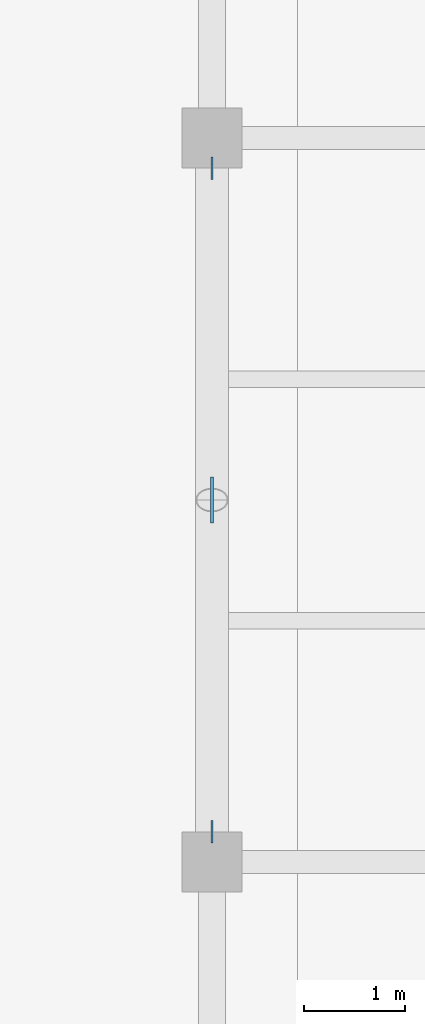
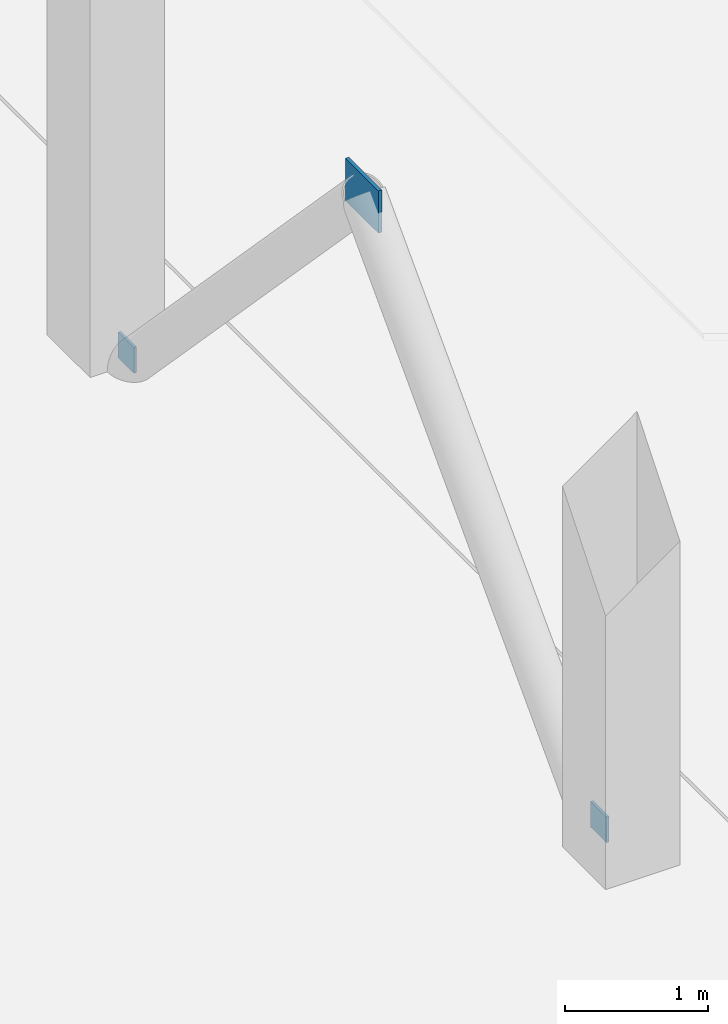
# One storey, part 64 of 94: 3 plates.
"""IFC4 building model written with IfcOpenShell, lengths in metres."""

import ifcopenshell
import ifcopenshell.guid

model = None  # the IFC model being written
_history = None  # IfcOwnerHistory: only IFC2X3 demands one
_inside = {}  # id of a spatial element -> (the spatial element, [elements in it])
_under = {}  # id of a project, library or spatial element -> (it, [spatial elements below it])
_declared = {}  # id of a project -> (the project, [libraries it declares])
_typed = {}  # id of a type object -> (the type object, [elements of that type])
_made_of = {}  # id of a material, layer set ... -> (it, [elements and type objects made of it])


def new_model(schema):
    """Start an empty IFC model of exactly this schema.

    Asked for "IFC4X3", IfcOpenShell would pick the latest addendum, in which some entities
    have other attributes; the version numbers below select the first issue.
    IFC2X3 requires an IfcOwnerHistory on every rooted entity: one is made here for all.
    """
    global model, _history
    if schema == "IFC4X3":
        model = ifcopenshell.file(schema_version=(4, 3, 0, 0))
    else:
        model = ifcopenshell.file(schema=schema)
    _inside.clear()
    _under.clear()
    _declared.clear()
    _typed.clear()
    _made_of.clear()
    _history = None
    if model.schema == "IFC2X3":
        org = make("IfcOrganization", Name="unknown")
        user = make(
            "IfcPersonAndOrganization",
            ThePerson=make("IfcPerson", FamilyName="unknown"),
            TheOrganization=org,
        )
        app = make(
            "IfcApplication",
            ApplicationDeveloper=org,
            Version="unknown",
            ApplicationFullName="unknown",
            ApplicationIdentifier="unknown",
        )
        _history = make(
            "IfcOwnerHistory",
            OwningUser=user,
            OwningApplication=app,
            ChangeAction="ADDED",
            CreationDate=0,
        )
    return model


def make(cls, **values):
    """One entity of the class cls with the attributes given. An attribute that is None is left unset."""
    return model.create_entity(
        cls, **{name: value for name, value in values.items() if value is not None}
    )


def rooted(cls, **values):
    """An entity with a GlobalId (a new one), such as an element, a storey or a relation."""
    return make(cls, GlobalId=ifcopenshell.guid.new(), OwnerHistory=_history, **values)


def si_unit(unit_type, name, prefix=None):
    """IfcSIUnit, for example si_unit("LENGTHUNIT", "METRE", prefix="MILLI")."""
    return make("IfcSIUnit", UnitType=unit_type, Prefix=prefix, Name=name)


def assignment(units):
    """IfcUnitAssignment: the units of a project."""
    return None if units is None else make("IfcUnitAssignment", Units=units)


def point(xyz):
    """IfcCartesianPoint."""
    return None if xyz is None else make("IfcCartesianPoint", Coordinates=xyz)


def direction(xyz):
    """IfcDirection."""
    return None if xyz is None else make("IfcDirection", DirectionRatios=xyz)


def frame(location, z_axis=None, x_axis=None):
    """IfcAxis2Placement3D, a coordinate frame: its origin and axes. An axis left out is left unset."""
    return make(
        "IfcAxis2Placement3D",
        Location=point(location),
        Axis=direction(z_axis),
        RefDirection=direction(x_axis),
    )


def frame_2d(location, x_axis=None):
    """IfcAxis2Placement2D, a coordinate frame in the plane: its origin and x axis."""
    return make(
        "IfcAxis2Placement2D", Location=point(location), RefDirection=direction(x_axis)
    )


def origin():
    """The frame at (0, 0, 0) with its axes left unset."""
    return frame((0.0, 0.0, 0.0))


def origin_2d():
    """The frame at (0, 0) in the plane with its x axis left unset."""
    return frame_2d((0.0, 0.0))


def place(relative_to, where):
    """IfcLocalPlacement: puts the frame where relative to a parent placement (None: the world)."""
    return make(
        "IfcLocalPlacement", PlacementRelTo=relative_to, RelativePlacement=where
    )


def context(
    kind, dimensions, precision=None, world=None, true_north=None, identifier=None
):
    """IfcGeometricRepresentationContext, for example the 3D "Model" context."""
    return make(
        "IfcGeometricRepresentationContext",
        ContextIdentifier=identifier,
        ContextType=kind,
        CoordinateSpaceDimension=dimensions,
        Precision=precision,
        WorldCoordinateSystem=world,
        TrueNorth=true_north,
    )


def subcontext(parent, identifier, kind, view, scale=None):
    """IfcGeometricRepresentationSubContext, for example "Body" below "Model"."""
    return make(
        "IfcGeometricRepresentationSubContext",
        ContextIdentifier=identifier,
        ContextType=kind,
        ParentContext=parent,
        TargetScale=scale,
        TargetView=view,
    )


def project(units=None, contexts=None):
    """IfcProject with its units and contexts."""
    return rooted(
        "IfcProject",
        Name="project",
        RepresentationContexts=contexts,
        UnitsInContext=assignment(units),
    )


def spatial(cls, under=None, at=None, **own):
    """A site, building, storey or space (cls), placed at a placement, below another one or the project."""
    s = rooted(cls, ObjectPlacement=at, **own)
    if under is not None:
        _under.setdefault(under.id(), (under, []))[1].append(s)
    return s


def profile(cls, at=None, kind="AREA", **sizes):
    """A parametric profile (cls). Its sizes go by their IFC names, for example OverallWidth=200.0."""
    return make(cls, ProfileType=kind, Position=at, **sizes)


def rectangle(**sizes):
    """IfcRectangleProfileDef."""
    return profile("IfcRectangleProfileDef", **sizes)


def extrude(swept, where, along, depth):
    """IfcExtrudedAreaSolid: the profile swept, set in the frame where, extruded along a direction by depth."""
    return make(
        "IfcExtrudedAreaSolid",
        SweptArea=swept,
        Position=where,
        ExtrudedDirection=direction(along),
        Depth=depth,
    )


def shape(context_of_items, identifier, shape_type, items):
    """IfcShapeRepresentation: the items that make up one representation, for example the "Body"."""
    return make(
        "IfcShapeRepresentation",
        ContextOfItems=context_of_items,
        RepresentationIdentifier=identifier,
        RepresentationType=shape_type,
        Items=items,
    )


def material(Name=None, Category=None):
    """IfcMaterial."""
    return make("IfcMaterial", Name=Name, Category=Category)


def layer(
    of_material, thickness, ventilated=None, Name=None, Category=None, Priority=None
):
    """IfcMaterialLayer: one layer of a wall or slab, of a material (None: an air gap)."""
    return make(
        "IfcMaterialLayer",
        Material=of_material,
        LayerThickness=thickness,
        IsVentilated=ventilated,
        Name=Name,
        Category=Category,
        Priority=Priority,
    )


def layer_set(layers, Name=None):
    """IfcMaterialLayerSet."""
    return make("IfcMaterialLayerSet", MaterialLayers=layers, LayerSetName=Name)


def made_of(thing, what):
    """Note that an element or type object is made of a material, layer set ...; save() writes the relation."""
    if what is not None:
        _made_of.setdefault(what.id(), (what, []))[1].append(thing)
    return thing


def type_object(cls, material=None, **own):
    """A type object (cls), such as IfcWallType, which elements share."""
    return made_of(rooted(cls, **own), material)


def element(
    cls,
    number,
    at=None,
    inside=None,
    cuts=None,
    type_object=None,
    material=None,
    context=None,
    identifier="Body",
    shape_type=None,
    held_by="IfcProductDefinitionShape",
    body=None,
    shapes=None,
    **own,
):
    """One element of the class cls, such as IfcWall. Its Tag is "e" and its number.

    at: its placement. inside: the storey or other place that contains it. cuts: it is an
    opening in that element (IfcRelVoidsElement). A single representation is given by context,
    identifier, shape_type and body (its items); several are given by shapes. held_by: the class
    of the entity that holds the representations. save() writes the other relations.
    """
    e = rooted(cls, Tag="e%d" % number, ObjectPlacement=at, **own)
    if body is not None:
        shapes = [shape(context, identifier, shape_type, body)]
    if shapes is not None:
        e.Representation = make(held_by, Representations=shapes)
    if inside is not None:
        _inside.setdefault(inside.id(), (inside, []))[1].append(e)
    if cuts is not None:
        rooted(
            "IfcRelVoidsElement", RelatingBuildingElement=cuts, RelatedOpeningElement=e
        )
    if type_object is not None:
        _typed.setdefault(type_object.id(), (type_object, []))[1].append(e)
    return made_of(e, material)


def aggregate(whole, parts):
    """IfcRelAggregates: a whole, such as a stair, and the parts it consists of."""
    return rooted("IfcRelAggregates", RelatingObject=whole, RelatedObjects=parts)


def save(model, path):
    """Write the relations noted so far, then the file.

    IfcRelAggregates (storeys below a building ...), IfcRelContainedInSpatialStructure (elements
    in a storey), IfcRelDefinesByType, IfcRelAssociatesMaterial and IfcRelDeclares: one each for
    every whole, place, type object, material and project.
    """
    for whole, parts in _under.values():
        aggregate(whole, parts)
    for where, things in _inside.values():
        rooted(
            "IfcRelContainedInSpatialStructure",
            RelatedElements=things,
            RelatingStructure=where,
        )
    for kind, things in _typed.values():
        rooted("IfcRelDefinesByType", RelatedObjects=things, RelatingType=kind)
    for what, things in _made_of.values():
        rooted("IfcRelAssociatesMaterial", RelatedObjects=things, RelatingMaterial=what)
    for by, libraries in _declared.values():
        rooted("IfcRelDeclares", RelatingContext=by, RelatedDefinitions=libraries)
    model.write(path)


model = new_model("IFC4")

# Units and contexts
model_context = context("Model", 3, precision=1e-05, world=origin(), true_north=direction((0.0, 1.0)))
body_context = subcontext(model_context, "Body", "Model", "MODEL_VIEW")
ifc_project = project(units=[si_unit("LENGTHUNIT", "METRE"), si_unit("AREAUNIT", "SQUARE_METRE"), si_unit("VOLUMEUNIT", "CUBIC_METRE"), si_unit("PLANEANGLEUNIT", "RADIAN"), si_unit("MASSUNIT", "GRAM", prefix="KILO")], contexts=[model_context])

# Site, building, storey
site_placement = place(None, origin())
site = spatial("IfcSite", under=ifc_project, at=site_placement, CompositionType="ELEMENT")
building_placement = place(site_placement, origin())
building = spatial("IfcBuilding", under=site, at=building_placement, Name="Kalmorath City Hall", CompositionType="ELEMENT")
storey_placement = place(building_placement, frame((0.0, 0.0, 14.699951171875)))
storey = spatial("IfcBuildingStorey", under=building, at=storey_placement, Name="L03", CompositionType="ELEMENT", Elevation=14.699951171875)

# Plates
ifc_material_1 = material(Name="Steel ASTM A572 Grade 50", Category="steel")
ifc_layer_1 = layer(ifc_material_1, 0.02001953125)
ifc_layer_set_1 = layer_set([ifc_layer_1], Name="Steel ASTM A572 Grade 50")
plate_type_1 = type_object("IfcPlateType", Name="Steel HSS end-cap plate 220x220x20", PredefinedType="SHEET", material=ifc_layer_set_1)
for number, where, z_axis, x_axis, name in (
    (1, (64.800048828125, 101.10009765625, 0.0), (0.0, 0.0, 1.0), (0.0, 1.0, 0.0), "L03 brace foot end-plate GP5-27L"),
    (2, (64.800048828125, 107.699951171875, 0.0), (0.0, 0.0, 1.0), (0.0, 1.0, 0.0), "L03 brace foot end-plate GP5-27R"),
):
    element("IfcPlate", number, at=place(storey_placement, frame(where, z_axis=z_axis, x_axis=x_axis)), inside=storey, type_object=plate_type_1, Name=name, PredefinedType="SHEET", context=body_context, shape_type="SweptSolid", body=[
        extrude(rectangle(XDim=0.219970703125, YDim=0.02001953125, at=origin_2d()), origin(), (0.0, 0.0, 1.0), 0.219970703125),
    ])
ifc_material_2 = material(Name="Steel ASTM A572 Grade 50", Category="steel")
ifc_layer_2 = layer(ifc_material_2, 0.028076171875)
ifc_layer_set_2 = layer_set([ifc_layer_2], Name="Steel ASTM A572 Grade 50")
plate_type_2 = type_object("IfcPlateType", Name="Steel truss node gusset plate 460x360x28", PredefinedType="USERDEFINED", material=ifc_layer_set_2)
plate_placement = place(storey_placement, frame((64.800048828125, 104.39990234375, 3.27001953125), z_axis=(0.0, 0.0, 1.0), x_axis=(0.0, 1.0, 0.0)))
element("IfcPlate", 3, at=plate_placement, inside=storey, type_object=plate_type_2, Name="L03 brace gusset plate GP3-27", ObjectType="GUSSET PLATE", PredefinedType="USERDEFINED", context=body_context, shape_type="SweptSolid", body=[
    extrude(rectangle(XDim=0.4599609375, YDim=0.028076171875, at=origin_2d()), origin(), (0.0, 0.0, 1.0), 0.360107421875),
])

save(model, "model.ifc")
